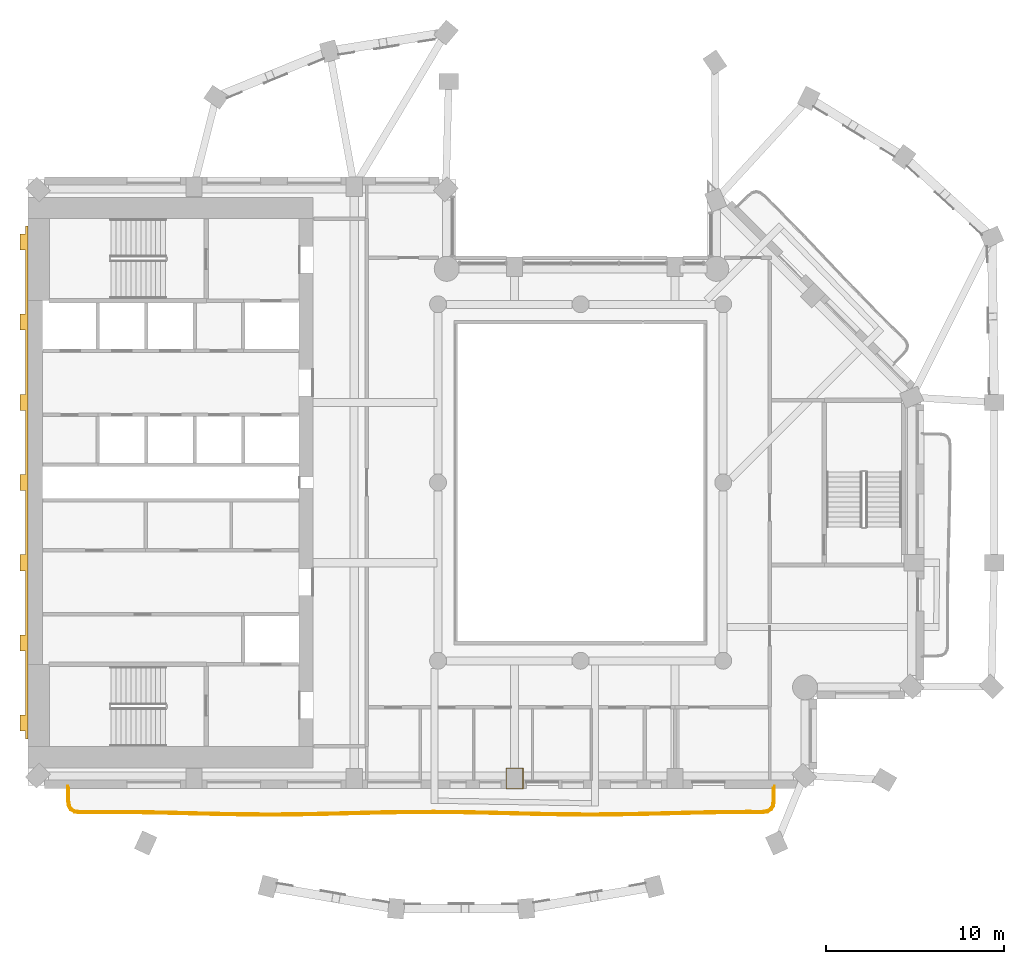
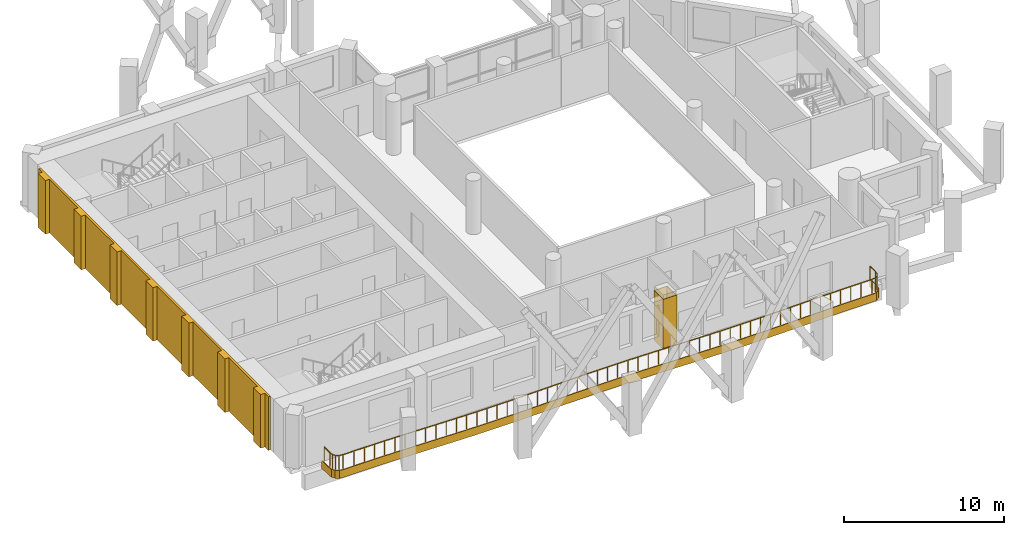
# One storey, part 12 of 15: 3 coverings, 1 railing.
"""IFC4 building model written with IfcOpenShell, lengths in metres."""

from ifc_helpers import new_model, si_unit, direction, frame, origin, origin_2d, place, context, subcontext, project, spatial, polyline, rectangle, outline, extrude, material, layer, layer_set, type_object, element, save


model = new_model("IFC4")

# Units and contexts
model_context = context("Model", 3, precision=1e-05, world=origin(), true_north=direction((0.0, 1.0)))
body_context = subcontext(model_context, "Body", "Model", "MODEL_VIEW")
ifc_project = project(units=[si_unit("LENGTHUNIT", "METRE"), si_unit("AREAUNIT", "SQUARE_METRE"), si_unit("VOLUMEUNIT", "CUBIC_METRE"), si_unit("PLANEANGLEUNIT", "RADIAN"), si_unit("MASSUNIT", "GRAM", prefix="KILO")], contexts=[model_context])

# Site, building, storey
site_placement = place(None, origin())
site = spatial("IfcSite", under=ifc_project, at=site_placement, CompositionType="ELEMENT")
building_placement = place(site_placement, origin())
building = spatial("IfcBuilding", under=site, at=building_placement, Name="Cypress Arch Tower", CompositionType="ELEMENT")
storey_placement = place(building_placement, frame((0.0, 0.0, 205.60009765625)))
storey = spatial("IfcBuildingStorey", under=building, at=storey_placement, Name="L45", CompositionType="ELEMENT", Elevation=205.60009765625)

# Covering
ifc_material_1 = material(Name="White powder-coated aluminium fascia", Category="aluminium")
ifc_layer_1 = layer(ifc_material_1, 0.050048828125)
ifc_layer_set_1 = layer_set([ifc_layer_1], Name="Balcony fascia BF50")
covering_type_1 = type_object("IfcCoveringType", Name="Balcony fascia BF50", PredefinedType="CLADDING", material=ifc_layer_set_1)
covering_1_placement = place(storey_placement, frame((0.0, 0.0, -0.60009765625)))
element("IfcCovering", 1, at=covering_1_placement, inside=storey, type_object=covering_type_1, Name="Balcony fascia L45-B01", PredefinedType="CLADDING", context=body_context, shape_type="SweptSolid", body=[
    extrude(outline(polyline([(11.89990234375, -17.851318359375), (11.85693359375, -18.153564453125), (11.721435546875, -18.378662109375), (11.49560546875, -18.5126953125), (11.193359375, -18.554443359375), (10.38330078125, -18.550048828125), (8.917236328125, -18.560791015625), (7.451171875, -18.587158203125), (5.984619140625, -18.622802734375), (4.517822265625, -18.658203125), (3.050537109375, -18.684326171875), (1.583251953125, -18.694580078125), (0.1162109375, -18.686279296875), (-1.35107421875, -18.66162109375), (-2.81787109375, -18.626953125), (-4.284423828125, -18.591064453125), (-5.750732421875, -18.56298828125), (-7.216796875, -18.55029296875), (-8.682861328125, -18.55615234375), (-10.14892578125, -18.578857421875), (-11.615478515625, -18.612548828125), (-13.082275390625, -18.64892578125), (-14.54931640625, -18.678466796875), (-16.016357421875, -18.693603515625), (-17.483642578125, -18.6904296875), (-18.950927734375, -18.669677734375), (-20.41796875, -18.636962890625), (-21.884521484375, -18.600341796875), (-23.350830078125, -18.5693359375), (-24.81689453125, -18.552001953125), (-26.282958984375, -18.552734375), (-27.093017578125, -18.56298828125), (-27.395263671875, -18.5234375), (-27.621337890625, -18.390869140625), (-27.7568359375, -18.16650390625), (-27.800048828125, -17.86474609375), (-27.800048828125, -17.0009765625), (-27.75, -17.0009765625), (-27.75, -17.861083984375), (-27.708740234375, -18.1494140625), (-27.5849609375, -18.35400390625), (-27.378662109375, -18.475341796875), (-27.090087890625, -18.512939453125), (-26.283447265625, -18.502685546875), (-24.816650390625, -18.501953125), (-23.35009765625, -18.51953125), (-21.88330078125, -18.55029296875), (-20.416748046875, -18.5869140625), (-18.949951171875, -18.619873046875), (-17.4833984375, -18.640380859375), (-16.0166015625, -18.6435546875), (-14.550048828125, -18.62841796875), (-13.083251953125, -18.59912109375), (-11.61669921875, -18.562744140625), (-10.14990234375, -18.52880859375), (-8.683349609375, -18.506103515625), (-7.216552734375, -18.500244140625), (-5.75, -18.51318359375), (-4.283447265625, -18.541015625), (-2.816650390625, -18.576904296875), (-1.35009765625, -18.61181640625), (0.11669921875, -18.636474609375), (1.583251953125, -18.64453125), (3.050048828125, -18.63427734375), (4.5166015625, -18.608154296875), (5.9833984375, -18.57275390625), (7.449951171875, -18.537353515625), (8.916748046875, -18.5107421875), (10.38330078125, -18.5), (11.18994140625, -18.50439453125), (11.478759765625, -18.464599609375), (11.68505859375, -18.342041015625), (11.808837890625, -18.136474609375), (11.85009765625, -17.847900390625), (11.85009765625, -17.0009765625), (11.89990234375, -17.0009765625), (11.89990234375, -17.851318359375)])), origin(), (0.0, 0.0, 1.0), 0.60009765625),
])

# Railing
ifc_material_2 = material(Name="Powder-coated steel posts and rods, 100 mm clear between rods", Category="steel")
railing_type = type_object("IfcRailingType", Name="Balcony guard GR1100", PredefinedType="GUARDRAIL", material=ifc_material_2)
railing_placement = place(storey_placement, frame((11.800048828125, -17.14990234375, 0.0)))
element("IfcRailing", 2, at=railing_placement, inside=storey, type_object=railing_type, Name="Balcony guard L45-B01", PredefinedType="GUARDRAIL", context=body_context, shape_type="SweptSolid", body=[
    extrude(rectangle(XDim=0.050048828125, YDim=0.050048828125, at=origin_2d()), frame((0.0, 0.0, 1.0751953125), z_axis=(0.0, -1.0, 0.0), x_axis=(1.0, 0.0, 0.0)), (0.0, 0.0, 1.0), 0.6943359375),
    extrude(rectangle(XDim=0.050048828125, YDim=0.050048828125, at=origin_2d()), frame((0.0, -0.6943359375, 1.0751953125), z_axis=(-0.141421356237, -0.989949493661, 0.0), x_axis=(0.989949493661, -0.141421356237, 0.0)), (0.0, 0.0, 1.0), 0.27783203125),
    extrude(rectangle(XDim=0.050048828125, YDim=0.050048828125, at=origin_2d()), frame((-0.039306640625, -0.969482421875, 1.0751953125), z_axis=(-0.515982820696, -0.856598931091, 0.0), x_axis=(0.856598931091, -0.515982820696, 0.0)), (0.0, 0.0, 1.0), 0.21728515625),
    extrude(rectangle(XDim=0.050048828125, YDim=0.050048828125, at=origin_2d()), frame((-0.1513671875, -1.155517578125, 1.0751953125), z_axis=(-0.859469186798, -0.511187555546, 0.0), x_axis=(0.511187555546, -0.859469186798, 0.0)), (0.0, 0.0, 1.0), 0.21728515625),
    extrude(rectangle(XDim=0.050048828125, YDim=0.050048828125, at=origin_2d()), frame((-0.338134765625, -1.2666015625, 1.0751953125), z_axis=(-0.990674390887, -0.136250692624, 0.0), x_axis=(0.136250692624, -0.990674390887, 0.0)), (0.0, 0.0, 1.0), 0.27783203125),
    extrude(rectangle(XDim=0.050048828125, YDim=0.050048828125, at=origin_2d()), frame((-0.61328125, -1.304443359375, 1.0751953125), z_axis=(-0.999985042827, 0.005469380362, 0.0), x_axis=(-0.005469380362, -0.999985042827, 0.0)), (0.0, 0.0, 1.0), 0.803466796875),
    extrude(rectangle(XDim=0.050048828125, YDim=0.050048828125, at=origin_2d()), frame((-1.416748046875, -1.300048828125, 1.0751953125), z_axis=(-0.999973201594, -0.007320935253, 0.0), x_axis=(0.007320935253, -0.999973201594, 0.0)), (0.0, 0.0, 1.0), 1.46728515625),
    extrude(rectangle(XDim=0.050048828125, YDim=0.050048828125, at=origin_2d()), frame((-2.884033203125, -1.310791015625, 1.0751953125), z_axis=(-0.99983552063, -0.018136473914, 0.0), x_axis=(0.018136473914, -0.99983552063, 0.0)), (0.0, 0.0, 1.0), 1.46728515625),
    extrude(rectangle(XDim=0.050048828125, YDim=0.050048828125, at=origin_2d()), frame((-4.35107421875, -1.33740234375, 1.0751953125), z_axis=(-0.999708890427, -0.02412746157, 0.0), x_axis=(0.02412746157, -0.999708890427, 0.0)), (0.0, 0.0, 1.0), 1.46728515625),
    extrude(rectangle(XDim=0.050048828125, YDim=0.050048828125, at=origin_2d()), frame((-5.81787109375, -1.372802734375, 1.0751953125), z_axis=(-0.999708793538, -0.024131475789, 0.0), x_axis=(0.024131475789, -0.999708793538, 0.0)), (0.0, 0.0, 1.0), 1.467041015625),
    extrude(rectangle(XDim=0.050048828125, YDim=0.050048828125, at=origin_2d()), frame((-7.284423828125, -1.408203125, 1.0751953125), z_axis=(-0.999841341429, -0.017812691231, 0.0), x_axis=(0.017812691231, -0.999841341429, 0.0)), (0.0, 0.0, 1.0), 1.466552734375),
    extrude(rectangle(XDim=0.050048828125, YDim=0.050048828125, at=origin_2d()), frame((-8.750732421875, -1.434326171875, 1.0751953125), z_axis=(-0.99997554168, -0.006994000458, 0.0), x_axis=(0.006994000458, -0.99997554168, 0.0)), (0.0, 0.0, 1.0), 1.466064453125),
    extrude(rectangle(XDim=0.050048828125, YDim=0.050048828125, at=origin_2d()), frame((-10.216796875, -1.444580078125, 1.0751953125), z_axis=(-0.999984900519, 0.005495337505, 0.0), x_axis=(-0.005495337505, -0.999984900519, 0.0)), (0.0, 0.0, 1.0), 1.466064453125),
    extrude(rectangle(XDim=0.050048828125, YDim=0.050048828125, at=origin_2d()), frame((-11.682861328125, -1.4365234375, 1.0751953125), z_axis=(-0.999858585287, 0.016816938737, 0.0), x_axis=(-0.016816938737, -0.999858585287, 0.0)), (0.0, 0.0, 1.0), 1.46630859375),
    extrude(rectangle(XDim=0.050048828125, YDim=0.050048828125, at=origin_2d()), frame((-13.14892578125, -1.411865234375, 1.0751953125), z_axis=(-0.999716768028, 0.023798817684, 0.0), x_axis=(-0.023798817684, -0.999716768028, 0.0)), (0.0, 0.0, 1.0), 1.467041015625),
    extrude(rectangle(XDim=0.050048828125, YDim=0.050048828125, at=origin_2d()), frame((-14.615478515625, -1.376953125, 1.0751953125), z_axis=(-0.999700808063, 0.024460056389, 0.0), x_axis=(-0.024460056389, -0.999700808063, 0.0)), (0.0, 0.0, 1.0), 1.46728515625),
    extrude(rectangle(XDim=0.050048828125, YDim=0.050048828125, at=origin_2d()), frame((-16.082275390625, -1.341064453125, 1.0751953125), z_axis=(-0.999820088848, 0.018968129494, 0.0), x_axis=(-0.018968129494, -0.999820088848, 0.0)), (0.0, 0.0, 1.0), 1.46728515625),
    extrude(rectangle(XDim=0.050048828125, YDim=0.050048828125, at=origin_2d()), frame((-17.54931640625, -1.313232421875, 1.0751953125), z_axis=(-0.999962571419, 0.008651922415, 0.0), x_axis=(-0.008651922415, -0.999962571419, 0.0)), (0.0, 0.0, 1.0), 1.46728515625),
    extrude(rectangle(XDim=0.050048828125, YDim=0.050048828125, at=origin_2d()), frame((-19.0166015625, -1.300537109375, 1.0751953125), z_axis=(-0.999992677288, -0.003826927051, 0.0), x_axis=(0.003826927051, -0.999992677288, 0.0)), (0.0, 0.0, 1.0), 1.46728515625),
    extrude(rectangle(XDim=0.050048828125, YDim=0.050048828125, at=origin_2d()), frame((-20.48388671875, -1.30615234375, 1.0751953125), z_axis=(-0.999880256077, -0.015474931572, 0.0), x_axis=(0.015474931572, -0.999880256077, 0.0)), (0.0, 0.0, 1.0), 1.46728515625),
    extrude(rectangle(XDim=0.050048828125, YDim=0.050048828125, at=origin_2d()), frame((-21.950927734375, -1.328857421875, 1.0751953125), z_axis=(-0.999732563334, -0.023125782377, 0.0), x_axis=(0.023125782377, -0.999732563334, 0.0)), (0.0, 0.0, 1.0), 1.467529296875),
    extrude(rectangle(XDim=0.050048828125, YDim=0.050048828125, at=origin_2d()), frame((-23.41796875, -1.36279296875, 1.0751953125), z_axis=(-0.999692512878, -0.024796767841, 0.0), x_axis=(0.024796767841, -0.999692512878, 0.0)), (0.0, 0.0, 1.0), 1.467041015625),
    extrude(rectangle(XDim=0.050048828125, YDim=0.050048828125, at=origin_2d()), frame((-24.884521484375, -1.399169921875, 1.0751953125), z_axis=(-0.99979712062, -0.020142432833, 0.0), x_axis=(0.020142432833, -0.99979712062, 0.0)), (0.0, 0.0, 1.0), 1.466552734375),
    extrude(rectangle(XDim=0.050048828125, YDim=0.050048828125, at=origin_2d()), frame((-26.350830078125, -1.4287109375, 1.0751953125), z_axis=(-0.999948409464, -0.010157677432, 0.0), x_axis=(0.010157677432, -0.999948409464, 0.0)), (0.0, 0.0, 1.0), 1.466064453125),
    extrude(rectangle(XDim=0.050048828125, YDim=0.050048828125, at=origin_2d()), frame((-27.81689453125, -1.443603515625, 1.0751953125), z_axis=(-0.999997656693, 0.002164857542, 0.0), x_axis=(-0.002164857542, -0.999997656693, 0.0)), (0.0, 0.0, 1.0), 1.466064453125),
    extrude(rectangle(XDim=0.050048828125, YDim=0.050048828125, at=origin_2d()), frame((-29.282958984375, -1.4404296875, 1.0751953125), z_axis=(-0.999902177485, 0.013986974673, 0.0), x_axis=(-0.013986974673, -0.999902177485, 0.0)), (0.0, 0.0, 1.0), 1.46630859375),
    extrude(rectangle(XDim=0.050048828125, YDim=0.050048828125, at=origin_2d()), frame((-30.7490234375, -1.419921875, 1.0751953125), z_axis=(-0.999747560214, 0.022468107313, 0.0), x_axis=(-0.022468107313, -0.999747560214, 0.0)), (0.0, 0.0, 1.0), 1.467041015625),
    extrude(rectangle(XDim=0.050048828125, YDim=0.050048828125, at=origin_2d()), frame((-32.215576171875, -1.386962890625, 1.0751953125), z_axis=(-0.999692512878, 0.024796767841, 0.0), x_axis=(-0.024796767841, -0.999692512878, 0.0)), (0.0, 0.0, 1.0), 1.467041015625),
    extrude(rectangle(XDim=0.050048828125, YDim=0.050048828125, at=origin_2d()), frame((-33.68212890625, -1.3505859375, 1.0751953125), z_axis=(-0.999776731439, 0.021130245447, 0.0), x_axis=(-0.021130245447, -0.999776731439, 0.0)), (0.0, 0.0, 1.0), 1.46728515625),
    extrude(rectangle(XDim=0.050048828125, YDim=0.050048828125, at=origin_2d()), frame((-35.149169921875, -1.319580078125, 1.0751953125), z_axis=(-0.999930226212, 0.011812819644, 0.0), x_axis=(-0.011812819644, -0.999930226212, 0.0)), (0.0, 0.0, 1.0), 1.46728515625),
    extrude(rectangle(XDim=0.050048828125, YDim=0.050048828125, at=origin_2d()), frame((-36.616455078125, -1.30224609375, 1.0751953125), z_axis=(-0.999999944629, -0.000332778684, 0.0), x_axis=(0.000332778684, -0.999999944629, 0.0)), (0.0, 0.0, 1.0), 1.46728515625),
    extrude(rectangle(XDim=0.050048828125, YDim=0.050048828125, at=origin_2d()), frame((-38.083740234375, -1.302734375, 1.0751953125), z_axis=(-0.999918574624, -0.012761039239, 0.0), x_axis=(0.012761039239, -0.999918574624, 0.0)), (0.0, 0.0, 1.0), 0.803466796875),
    extrude(rectangle(XDim=0.050048828125, YDim=0.050048828125, at=origin_2d()), frame((-38.88720703125, -1.31298828125, 1.0751953125), z_axis=(-0.991600411186, 0.129339184068, 0.0), x_axis=(-0.129339184068, -0.991600411186, 0.0)), (0.0, 0.0, 1.0), 0.277587890625),
    extrude(rectangle(XDim=0.050048828125, YDim=0.050048828125, at=origin_2d()), frame((-39.162353515625, -1.277099609375, 1.0751953125), z_axis=(-0.862137209343, 0.506674878266, 0.0), x_axis=(-0.506674878266, -0.862137209343, 0.0)), (0.0, 0.0, 1.0), 0.21630859375),
    extrude(rectangle(XDim=0.050048828125, YDim=0.050048828125, at=origin_2d()), frame((-39.348876953125, -1.16748046875, 1.0751953125), z_axis=(-0.517150106367, 0.855894717524, 0.0), x_axis=(-0.855894717524, -0.517150106367, 0.0)), (0.0, 0.0, 1.0), 0.21630859375),
    extrude(rectangle(XDim=0.050048828125, YDim=0.050048828125, at=origin_2d()), frame((-39.460693359375, -0.982421875, 1.0751953125), z_axis=(-0.141667730519, 0.98991426605, 0.0), x_axis=(-0.98991426605, -0.141667730519, 0.0)), (0.0, 0.0, 1.0), 0.27734375),
    extrude(rectangle(XDim=0.050048828125, YDim=0.050048828125, at=origin_2d()), frame((-39.5, -0.707763671875, 1.0751953125), z_axis=(0.0, 1.0, 0.0), x_axis=(-1.0, 0.0, 0.0)), (0.0, 0.0, 1.0), 0.707763671875),
    extrude(rectangle(XDim=0.0400390625, YDim=0.0400390625, at=origin_2d()), origin(), (0.0, 0.0, 1.0), 1.050048828125),
    extrude(rectangle(XDim=0.0400390625, YDim=0.0400390625, at=origin_2d()), frame((0.0, -0.6943359375, 0.0)), (0.0, 0.0, 1.0), 1.050048828125),
    extrude(rectangle(XDim=0.0400390625, YDim=0.0400390625, at=origin_2d()), frame((-0.039306640625, -0.969482421875, 0.0)), (0.0, 0.0, 1.0), 1.050048828125),
    extrude(rectangle(XDim=0.0400390625, YDim=0.0400390625, at=origin_2d()), frame((-0.1513671875, -1.155517578125, 0.0)), (0.0, 0.0, 1.0), 1.050048828125),
    extrude(rectangle(XDim=0.0400390625, YDim=0.0400390625, at=origin_2d()), frame((-0.338134765625, -1.2666015625, 0.0)), (0.0, 0.0, 1.0), 1.050048828125),
    extrude(rectangle(XDim=0.0400390625, YDim=0.0400390625, at=origin_2d()), frame((-0.61328125, -1.304443359375, 0.0)), (0.0, 0.0, 1.0), 1.050048828125),
    extrude(rectangle(XDim=0.0400390625, YDim=0.0400390625, at=origin_2d()), frame((-1.416748046875, -1.300048828125, 0.0)), (0.0, 0.0, 1.0), 1.050048828125),
    extrude(rectangle(XDim=0.0400390625, YDim=0.0400390625, at=origin_2d()), frame((-2.150390625, -1.305419921875, 0.0)), (0.0, 0.0, 1.0), 1.050048828125),
    extrude(rectangle(XDim=0.0400390625, YDim=0.0400390625, at=origin_2d()), frame((-2.884033203125, -1.310791015625, 0.0)), (0.0, 0.0, 1.0), 1.050048828125),
    extrude(rectangle(XDim=0.0400390625, YDim=0.0400390625, at=origin_2d()), frame((-3.61767578125, -1.32421875, 0.0)), (0.0, 0.0, 1.0), 1.050048828125),
    extrude(rectangle(XDim=0.0400390625, YDim=0.0400390625, at=origin_2d()), frame((-4.35107421875, -1.33740234375, 0.0)), (0.0, 0.0, 1.0), 1.050048828125),
    extrude(rectangle(XDim=0.0400390625, YDim=0.0400390625, at=origin_2d()), frame((-5.08447265625, -1.35498046875, 0.0)), (0.0, 0.0, 1.0), 1.050048828125),
    extrude(rectangle(XDim=0.0400390625, YDim=0.0400390625, at=origin_2d()), frame((-5.81787109375, -1.372802734375, 0.0)), (0.0, 0.0, 1.0), 1.050048828125),
    extrude(rectangle(XDim=0.0400390625, YDim=0.0400390625, at=origin_2d()), frame((-6.55126953125, -1.390625, 0.0)), (0.0, 0.0, 1.0), 1.050048828125),
    extrude(rectangle(XDim=0.0400390625, YDim=0.0400390625, at=origin_2d()), frame((-7.284423828125, -1.408203125, 0.0)), (0.0, 0.0, 1.0), 1.050048828125),
    extrude(rectangle(XDim=0.0400390625, YDim=0.0400390625, at=origin_2d()), frame((-8.017578125, -1.42138671875, 0.0)), (0.0, 0.0, 1.0), 1.050048828125),
    extrude(rectangle(XDim=0.0400390625, YDim=0.0400390625, at=origin_2d()), frame((-8.750732421875, -1.434326171875, 0.0)), (0.0, 0.0, 1.0), 1.050048828125),
    extrude(rectangle(XDim=0.0400390625, YDim=0.0400390625, at=origin_2d()), frame((-9.48388671875, -1.439453125, 0.0)), (0.0, 0.0, 1.0), 1.050048828125),
    extrude(rectangle(XDim=0.0400390625, YDim=0.0400390625, at=origin_2d()), frame((-10.216796875, -1.444580078125, 0.0)), (0.0, 0.0, 1.0), 1.050048828125),
    extrude(rectangle(XDim=0.0400390625, YDim=0.0400390625, at=origin_2d()), frame((-10.94970703125, -1.4404296875, 0.0)), (0.0, 0.0, 1.0), 1.050048828125),
    extrude(rectangle(XDim=0.0400390625, YDim=0.0400390625, at=origin_2d()), frame((-11.682861328125, -1.4365234375, 0.0)), (0.0, 0.0, 1.0), 1.050048828125),
    extrude(rectangle(XDim=0.0400390625, YDim=0.0400390625, at=origin_2d()), frame((-12.416015625, -1.42431640625, 0.0)), (0.0, 0.0, 1.0), 1.050048828125),
    extrude(rectangle(XDim=0.0400390625, YDim=0.0400390625, at=origin_2d()), frame((-13.14892578125, -1.411865234375, 0.0)), (0.0, 0.0, 1.0), 1.050048828125),
    extrude(rectangle(XDim=0.0400390625, YDim=0.0400390625, at=origin_2d()), frame((-13.88232421875, -1.39453125, 0.0)), (0.0, 0.0, 1.0), 1.050048828125),
    extrude(rectangle(XDim=0.0400390625, YDim=0.0400390625, at=origin_2d()), frame((-14.615478515625, -1.376953125, 0.0)), (0.0, 0.0, 1.0), 1.050048828125),
    extrude(rectangle(XDim=0.0400390625, YDim=0.0400390625, at=origin_2d()), frame((-15.348876953125, -1.35888671875, 0.0)), (0.0, 0.0, 1.0), 1.050048828125),
    extrude(rectangle(XDim=0.0400390625, YDim=0.0400390625, at=origin_2d()), frame((-16.082275390625, -1.341064453125, 0.0)), (0.0, 0.0, 1.0), 1.050048828125),
    extrude(rectangle(XDim=0.0400390625, YDim=0.0400390625, at=origin_2d()), frame((-16.81591796875, -1.3271484375, 0.0)), (0.0, 0.0, 1.0), 1.050048828125),
    extrude(rectangle(XDim=0.0400390625, YDim=0.0400390625, at=origin_2d()), frame((-17.54931640625, -1.313232421875, 0.0)), (0.0, 0.0, 1.0), 1.050048828125),
    extrude(rectangle(XDim=0.0400390625, YDim=0.0400390625, at=origin_2d()), frame((-18.282958984375, -1.306884765625, 0.0)), (0.0, 0.0, 1.0), 1.050048828125),
    extrude(rectangle(XDim=0.0400390625, YDim=0.0400390625, at=origin_2d()), frame((-19.0166015625, -1.300537109375, 0.0)), (0.0, 0.0, 1.0), 1.050048828125),
    extrude(rectangle(XDim=0.0400390625, YDim=0.0400390625, at=origin_2d()), frame((-19.750244140625, -1.30322265625, 0.0)), (0.0, 0.0, 1.0), 1.050048828125),
    extrude(rectangle(XDim=0.0400390625, YDim=0.0400390625, at=origin_2d()), frame((-20.48388671875, -1.30615234375, 0.0)), (0.0, 0.0, 1.0), 1.050048828125),
    extrude(rectangle(XDim=0.0400390625, YDim=0.0400390625, at=origin_2d()), frame((-21.21728515625, -1.3173828125, 0.0)), (0.0, 0.0, 1.0), 1.050048828125),
    extrude(rectangle(XDim=0.0400390625, YDim=0.0400390625, at=origin_2d()), frame((-21.950927734375, -1.328857421875, 0.0)), (0.0, 0.0, 1.0), 1.050048828125),
    extrude(rectangle(XDim=0.0400390625, YDim=0.0400390625, at=origin_2d()), frame((-22.6845703125, -1.345703125, 0.0)), (0.0, 0.0, 1.0), 1.050048828125),
    extrude(rectangle(XDim=0.0400390625, YDim=0.0400390625, at=origin_2d()), frame((-23.41796875, -1.36279296875, 0.0)), (0.0, 0.0, 1.0), 1.050048828125),
    extrude(rectangle(XDim=0.0400390625, YDim=0.0400390625, at=origin_2d()), frame((-24.1513671875, -1.380859375, 0.0)), (0.0, 0.0, 1.0), 1.050048828125),
    extrude(rectangle(XDim=0.0400390625, YDim=0.0400390625, at=origin_2d()), frame((-24.884521484375, -1.399169921875, 0.0)), (0.0, 0.0, 1.0), 1.050048828125),
    extrude(rectangle(XDim=0.0400390625, YDim=0.0400390625, at=origin_2d()), frame((-25.61767578125, -1.4140625, 0.0)), (0.0, 0.0, 1.0), 1.050048828125),
    extrude(rectangle(XDim=0.0400390625, YDim=0.0400390625, at=origin_2d()), frame((-26.350830078125, -1.4287109375, 0.0)), (0.0, 0.0, 1.0), 1.050048828125),
    extrude(rectangle(XDim=0.0400390625, YDim=0.0400390625, at=origin_2d()), frame((-27.083984375, -1.43603515625, 0.0)), (0.0, 0.0, 1.0), 1.050048828125),
    extrude(rectangle(XDim=0.0400390625, YDim=0.0400390625, at=origin_2d()), frame((-27.81689453125, -1.443603515625, 0.0)), (0.0, 0.0, 1.0), 1.050048828125),
    extrude(rectangle(XDim=0.0400390625, YDim=0.0400390625, at=origin_2d()), frame((-28.5498046875, -1.44189453125, 0.0)), (0.0, 0.0, 1.0), 1.050048828125),
    extrude(rectangle(XDim=0.0400390625, YDim=0.0400390625, at=origin_2d()), frame((-29.282958984375, -1.4404296875, 0.0)), (0.0, 0.0, 1.0), 1.050048828125),
    extrude(rectangle(XDim=0.0400390625, YDim=0.0400390625, at=origin_2d()), frame((-30.01611328125, -1.43017578125, 0.0)), (0.0, 0.0, 1.0), 1.050048828125),
    extrude(rectangle(XDim=0.0400390625, YDim=0.0400390625, at=origin_2d()), frame((-30.7490234375, -1.419921875, 0.0)), (0.0, 0.0, 1.0), 1.050048828125),
    extrude(rectangle(XDim=0.0400390625, YDim=0.0400390625, at=origin_2d()), frame((-31.482421875, -1.4033203125, 0.0)), (0.0, 0.0, 1.0), 1.050048828125),
    extrude(rectangle(XDim=0.0400390625, YDim=0.0400390625, at=origin_2d()), frame((-32.215576171875, -1.386962890625, 0.0)), (0.0, 0.0, 1.0), 1.050048828125),
    extrude(rectangle(XDim=0.0400390625, YDim=0.0400390625, at=origin_2d()), frame((-32.94873046875, -1.36865234375, 0.0)), (0.0, 0.0, 1.0), 1.050048828125),
    extrude(rectangle(XDim=0.0400390625, YDim=0.0400390625, at=origin_2d()), frame((-33.68212890625, -1.3505859375, 0.0)), (0.0, 0.0, 1.0), 1.050048828125),
    extrude(rectangle(XDim=0.0400390625, YDim=0.0400390625, at=origin_2d()), frame((-34.41552734375, -1.3349609375, 0.0)), (0.0, 0.0, 1.0), 1.050048828125),
    extrude(rectangle(XDim=0.0400390625, YDim=0.0400390625, at=origin_2d()), frame((-35.149169921875, -1.319580078125, 0.0)), (0.0, 0.0, 1.0), 1.050048828125),
    extrude(rectangle(XDim=0.0400390625, YDim=0.0400390625, at=origin_2d()), frame((-35.8828125, -1.31103515625, 0.0)), (0.0, 0.0, 1.0), 1.050048828125),
    extrude(rectangle(XDim=0.0400390625, YDim=0.0400390625, at=origin_2d()), frame((-36.616455078125, -1.30224609375, 0.0)), (0.0, 0.0, 1.0), 1.050048828125),
    extrude(rectangle(XDim=0.0400390625, YDim=0.0400390625, at=origin_2d()), frame((-37.35009765625, -1.302490234375, 0.0)), (0.0, 0.0, 1.0), 1.050048828125),
    extrude(rectangle(XDim=0.0400390625, YDim=0.0400390625, at=origin_2d()), frame((-38.083740234375, -1.302734375, 0.0)), (0.0, 0.0, 1.0), 1.050048828125),
    extrude(rectangle(XDim=0.0400390625, YDim=0.0400390625, at=origin_2d()), frame((-38.88720703125, -1.31298828125, 0.0)), (0.0, 0.0, 1.0), 1.050048828125),
    extrude(rectangle(XDim=0.0400390625, YDim=0.0400390625, at=origin_2d()), frame((-39.162353515625, -1.277099609375, 0.0)), (0.0, 0.0, 1.0), 1.050048828125),
    extrude(rectangle(XDim=0.0400390625, YDim=0.0400390625, at=origin_2d()), frame((-39.348876953125, -1.16748046875, 0.0)), (0.0, 0.0, 1.0), 1.050048828125),
    extrude(rectangle(XDim=0.0400390625, YDim=0.0400390625, at=origin_2d()), frame((-39.460693359375, -0.982421875, 0.0)), (0.0, 0.0, 1.0), 1.050048828125),
    extrude(rectangle(XDim=0.0400390625, YDim=0.0400390625, at=origin_2d()), frame((-39.5, -0.707763671875, 0.0)), (0.0, 0.0, 1.0), 1.050048828125),
    extrude(rectangle(XDim=0.0400390625, YDim=0.0400390625, at=origin_2d()), frame((-39.5, 0.0, 0.0)), (0.0, 0.0, 1.0), 1.050048828125),
])

# Coverings
ifc_material_3 = material(Name="Painted plasterboard column casing")
ifc_layer_2 = layer(ifc_material_3, 0.0400390625)
ifc_layer_set_2 = layer_set([ifc_layer_2], Name="Column casing CK40")
covering_type_2 = type_object("IfcCoveringType", Name="Column casing CK40", PredefinedType="CLADDING", material=ifc_layer_set_2)
covering_2_placement = place(storey_placement, origin())
element("IfcCovering", 3, at=covering_2_placement, inside=storey, type_object=covering_type_2, Name="Column casing L45 CB04", PredefinedType="CLADDING", context=body_context, shape_type="SweptSolid", body=[
    extrude(outline(polyline([(-3.18994140625, -17.18994140625), (-3.18994140625, -16.010009765625), (-2.2099609375, -16.010009765625), (-2.2099609375, -17.18994140625), (-3.18994140625, -17.18994140625)]), holes=[polyline([(-3.14990234375, -17.14990234375), (-2.25, -17.14990234375), (-2.25, -16.050048828125), (-3.14990234375, -16.050048828125), (-3.14990234375, -17.14990234375)])]), origin(), (0.0, 0.0, 1.0), 3.7998046875),
])
ifc_material_4 = material(Name="Brick (red buff blend)", Category="masonry")
ifc_layer_3 = layer(ifc_material_4, 0.449951171875)
ifc_layer_set_3 = layer_set([ifc_layer_3], Name="West face brick piers WP450")
covering_type_3 = type_object("IfcCoveringType", Name="West face brick piers WP450", PredefinedType="CLADDING", material=ifc_layer_set_3)
covering_3_placement = place(storey_placement, origin())
element("IfcCovering", 4, at=covering_3_placement, inside=storey, type_object=covering_type_3, Name="West face brick piers L45", PredefinedType="CLADDING", context=body_context, shape_type="SweptSolid", body=[
    extrude(outline(polyline([(-30.14990234375, -13.050048828125), (-30.14990234375, -9.449951171875), (-30.449951171875, -9.449951171875), (-30.449951171875, -8.550048828125), (-30.14990234375, -8.550048828125), (-30.14990234375, -4.949951171875), (-30.449951171875, -4.949951171875), (-30.449951171875, -4.050048828125), (-30.14990234375, -4.050048828125), (-30.14990234375, -0.449951171875), (-30.449951171875, -0.449951171875), (-30.449951171875, 0.449951171875), (-30.14990234375, 0.449951171875), (-30.14990234375, 4.050048828125), (-30.449951171875, 4.050048828125), (-30.449951171875, 4.949951171875), (-30.14990234375, 4.949951171875), (-30.14990234375, 8.550048828125), (-30.449951171875, 8.550048828125), (-30.449951171875, 9.449951171875), (-30.14990234375, 9.449951171875), (-30.14990234375, 13.050048828125), (-30.449951171875, 13.050048828125), (-30.449951171875, 13.949951171875), (-30.14990234375, 13.949951171875), (-30.14990234375, 14.39990234375), (-30.0, 14.39990234375), (-30.0, -14.39990234375), (-30.14990234375, -14.39990234375), (-30.14990234375, -13.949951171875), (-30.449951171875, -13.949951171875), (-30.449951171875, -13.050048828125), (-30.14990234375, -13.050048828125)])), origin(), (0.0, 0.0, 1.0), 4.099853515625),
])

save(model, "model.ifc")
